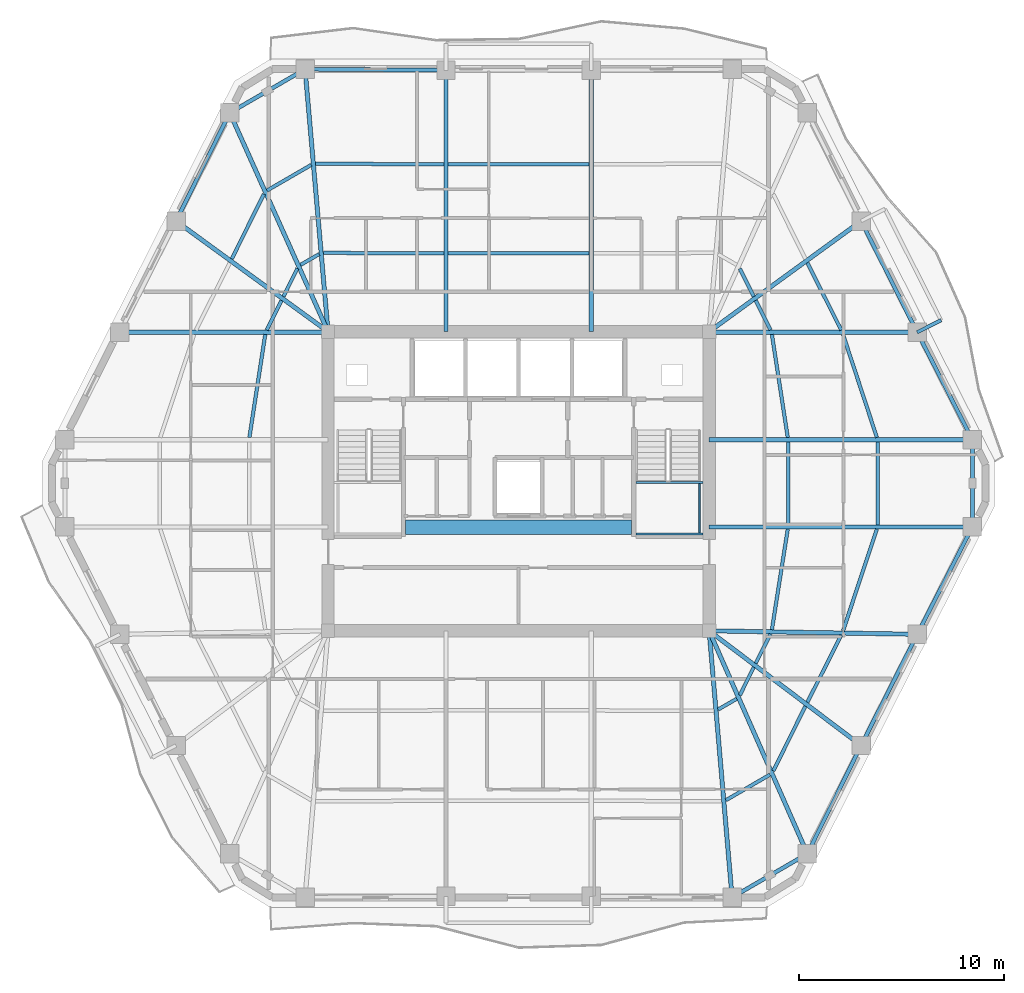
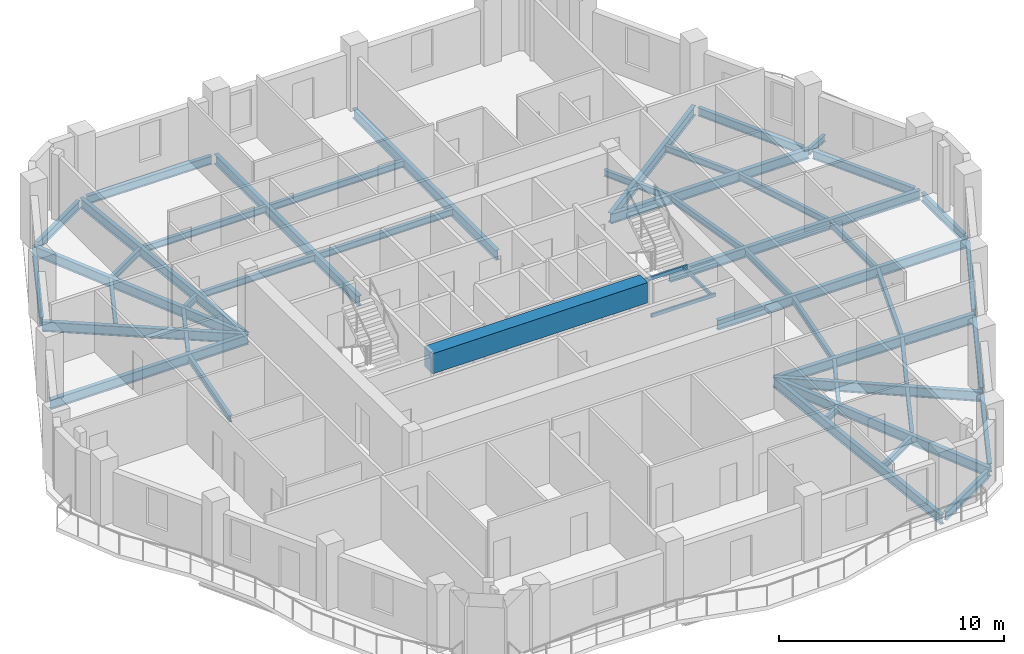
# One storey, part 2 of 11: 54 beams.
"""IFC4 building model written with IfcOpenShell, lengths in metres."""

from ifc_helpers import new_model, si_unit, direction, frame, origin, origin_2d, place, context, subcontext, project, spatial, rectangle, hollow_rectangle, i_section, extrude, material, material_profile, profile_set, type_object, element, save


model = new_model("IFC4")

# Units and contexts
model_context = context("Model", 3, precision=1e-05, world=origin(), true_north=direction((0.0, 1.0)))
body_context = subcontext(model_context, "Body", "Model", "MODEL_VIEW")
ifc_project = project(units=[si_unit("LENGTHUNIT", "METRE"), si_unit("AREAUNIT", "SQUARE_METRE"), si_unit("VOLUMEUNIT", "CUBIC_METRE"), si_unit("PLANEANGLEUNIT", "RADIAN"), si_unit("MASSUNIT", "GRAM", prefix="KILO")], contexts=[model_context])

# Site, building, storey
site_placement = place(None, origin())
site = spatial("IfcSite", under=ifc_project, at=site_placement, CompositionType="ELEMENT")
building_placement = place(site_placement, origin())
building = spatial("IfcBuilding", under=site, at=building_placement, Name="Cinnabar Lancet Tower", CompositionType="ELEMENT")
storey_placement = place(building_placement, frame((0.0, 0.0, 175.449951171875)))
storey = spatial("IfcBuildingStorey", under=building, at=storey_placement, Name="L46", CompositionType="ELEMENT", Elevation=175.449951171875)

# Beams
ifc_material_1 = material(Name="Concrete C70/85", Category="concrete")
ifc_material_profile_1 = material_profile(ifc_material_1, rectangle(XDim=0.699951171875, YDim=1.10009765625, at=origin_2d()), Name="RC-CB 700x1100")
ifc_profile_set_1 = profile_set([ifc_material_profile_1], Name="Concrete C70/85")
beam_type_1 = type_object("IfcBeamType", Name="STR-BM-CB-1100", PredefinedType="BEAM", material=ifc_profile_set_1)
beam_1_placement = place(storey_placement, frame((26.8798828125, 23.64990234375, 2.800048828125), z_axis=(1.0, 0.0, 0.0), x_axis=(0.0, 1.0, 0.0)))
element("IfcBeam", 1, at=beam_1_placement, inside=storey, type_object=beam_type_1, Name="L46 Core Coupling Beam", PredefinedType="BEAM", context=body_context, shape_type="SweptSolid", body=[
    extrude(rectangle(XDim=0.699951171875, YDim=1.10009765625, at=origin_2d()), origin(), (0.0, 0.0, 1.0), 11.0400390625),
])
ifc_material_2 = material(Name="Structural steel S355", Category="steel")
ifc_material_profile_2 = material_profile(ifc_material_2, i_section(OverallWidth=0.17138671875, OverallDepth=0.35498046875, WebThickness=0.00732421875, FlangeThickness=0.011474609375, FilletRadius=0.01025390625, at=origin_2d()), Name="UKB 356x171x51")
ifc_profile_set_2 = profile_set([ifc_material_profile_2], Name="Structural steel S355")
beam_type_2 = type_object("IfcBeamType", Name="STR-BM-JST-356", PredefinedType="JOIST", material=ifc_profile_set_2)
beam_2_placement = place(storey_placement, frame((42.51708984375, 10.3310546875, -0.3779296875), z_axis=(0.865267839663, 0.501309849937, 0.0), x_axis=(-0.501309849937, 0.865267839663, 0.0)))
element("IfcBeam", 2, at=beam_2_placement, inside=storey, type_object=beam_type_2, Name="L46 Secondary Floor Joist 15", PredefinedType="JOIST", context=body_context, shape_type="SweptSolid", body=[
    extrude(i_section(OverallWidth=0.17138671875, OverallDepth=0.35498046875, WebThickness=0.00732421875, FlangeThickness=0.011474609375, FilletRadius=0.01025390625, at=origin_2d()), origin(), (0.0, 0.0, 1.0), 2.497314453125),
])
beam_3_placement = place(storey_placement, frame((42.135986328125, 14.7548828125, -0.3779296875), z_axis=(0.8651881055, 0.501447446998, 0.0), x_axis=(-0.501447446998, 0.8651881055, 0.0)))
element("IfcBeam", 3, at=beam_3_placement, inside=storey, type_object=beam_type_2, Name="L46 Secondary Floor Joist 16", PredefinedType="JOIST", context=body_context, shape_type="SweptSolid", body=[
    extrude(i_section(OverallWidth=0.17138671875, OverallDepth=0.35498046875, WebThickness=0.00732421875, FlangeThickness=0.011474609375, FilletRadius=0.01025390625, at=origin_2d()), origin(), (0.0, 0.0, 1.0), 1.05322265625),
])
beam_4_placement = place(storey_placement, frame((44.8291015625, 11.758056640625, -0.3779296875), z_axis=(0.445027906173, 0.895516701534, 0.0), x_axis=(-0.895516701534, 0.445027906173, 0.0)))
element("IfcBeam", 4, at=beam_4_placement, inside=storey, type_object=beam_type_2, Name="L46 Secondary Floor Joist 17", PredefinedType="JOIST", context=body_context, shape_type="SweptSolid", body=[
    extrude(i_section(OverallWidth=0.17138671875, OverallDepth=0.35498046875, WebThickness=0.00732421875, FlangeThickness=0.011474609375, FilletRadius=0.01025390625, at=origin_2d()), origin(), (0.0, 0.0, 1.0), 3.531982421875),
])
beam_5_placement = place(storey_placement, frame((43.198974609375, 15.45703125, -0.3779296875), z_axis=(0.444589856968, 0.895734256954, 0.0), x_axis=(-0.895734256954, 0.444589856968, 0.0)))
element("IfcBeam", 5, at=beam_5_placement, inside=storey, type_object=beam_type_2, Name="L46 Secondary Floor Joist 18", PredefinedType="JOIST", context=body_context, shape_type="SweptSolid", body=[
    extrude(i_section(OverallWidth=0.17138671875, OverallDepth=0.35498046875, WebThickness=0.00732421875, FlangeThickness=0.011474609375, FilletRadius=0.01025390625, at=origin_2d()), origin(), (0.0, 0.0, 1.0), 1.527099609375),
])
beam_6_placement = place(storey_placement, frame((46.49609375, 15.112060546875, -0.3779296875), z_axis=(0.450564728728, 0.892743762357, 0.0), x_axis=(-0.892743762357, 0.450564728728, 0.0)))
element("IfcBeam", 6, at=beam_6_placement, inside=storey, type_object=beam_type_2, Name="L46 Secondary Floor Joist 19", PredefinedType="JOIST", context=body_context, shape_type="SweptSolid", body=[
    extrude(i_section(OverallWidth=0.17138671875, OverallDepth=0.35498046875, WebThickness=0.00732421875, FlangeThickness=0.011474609375, FilletRadius=0.01025390625, at=origin_2d()), origin(), (0.0, 0.0, 1.0), 3.66845703125),
])
beam_7_placement = place(storey_placement, frame((43.97412109375, 17.014892578125, -0.3779296875), z_axis=(0.450137936259, 0.892959035085, 0.0), x_axis=(-0.892959035085, 0.450137936259, 0.0)))
element("IfcBeam", 7, at=beam_7_placement, inside=storey, type_object=beam_type_2, Name="L46 Secondary Floor Joist 20", PredefinedType="JOIST", context=body_context, shape_type="SweptSolid", body=[
    extrude(i_section(OverallWidth=0.17138671875, OverallDepth=0.35498046875, WebThickness=0.00732421875, FlangeThickness=0.011474609375, FilletRadius=0.01025390625, at=origin_2d()), origin(), (0.0, 0.0, 1.0), 1.6015625),
])
beam_8_placement = place(storey_placement, frame((48.236083984375, 18.594970703125, -0.3779296875), z_axis=(0.315346227037, 0.948976689436, 0.0), x_axis=(-0.948976689436, 0.315346227037, 0.0)))
element("IfcBeam", 8, at=beam_8_placement, inside=storey, type_object=beam_type_2, Name="L46 Secondary Floor Joist 21", PredefinedType="JOIST", context=body_context, shape_type="SweptSolid", body=[
    extrude(i_section(OverallWidth=0.17138671875, OverallDepth=0.35498046875, WebThickness=0.00732421875, FlangeThickness=0.011474609375, FilletRadius=0.01025390625, at=origin_2d()), origin(), (0.0, 0.0, 1.0), 5.235107421875),
])
beam_9_placement = place(storey_placement, frame((44.763916015625, 18.653076171875, -0.3779296875), z_axis=(0.155750702097, 0.987796395416, 0.0), x_axis=(-0.987796395416, 0.155750702097, 0.0)))
element("IfcBeam", 9, at=beam_9_placement, inside=storey, type_object=beam_type_2, Name="L46 Secondary Floor Joist 22", PredefinedType="JOIST", context=body_context, shape_type="SweptSolid", body=[
    extrude(i_section(OverallWidth=0.17138671875, OverallDepth=0.35498046875, WebThickness=0.00732421875, FlangeThickness=0.011474609375, FilletRadius=0.01025390625, at=origin_2d()), origin(), (0.0, 0.0, 1.0), 4.970458984375),
])
for number, where, z_axis, x_axis, name in (
    (10, (49.922119140625, 23.77294921875, -0.3779296875), (0.0, 1.0, 0.0), (-1.0, 0.0, 0.0), "L46 Secondary Floor Joist 23"),
    (11, (45.553955078125, 23.77294921875, -0.3779296875), (0.0, 1.0, 0.0), (-1.0, 0.0, 0.0), "L46 Secondary Floor Joist 24"),
):
    element("IfcBeam", number, at=place(storey_placement, frame(where, z_axis=z_axis, x_axis=x_axis)), inside=storey, type_object=beam_type_2, Name=name, PredefinedType="JOIST", context=body_context, shape_type="SweptSolid", body=[
        extrude(i_section(OverallWidth=0.17138671875, OverallDepth=0.35498046875, WebThickness=0.00732421875, FlangeThickness=0.011474609375, FilletRadius=0.01025390625, at=origin_2d()), origin(), (0.0, 0.0, 1.0), 4.053955078125),
    ])
beam_10_placement = place(storey_placement, frame((49.887939453125, 28.037109375, -0.3779296875), z_axis=(-0.312240109925, 0.95000321776, 0.0), x_axis=(-0.95000321776, -0.312240109925, 0.0)))
element("IfcBeam", 12, at=beam_10_placement, inside=storey, type_object=beam_type_2, Name="L46 Secondary Floor Joist 25", PredefinedType="JOIST", context=body_context, shape_type="SweptSolid", body=[
    extrude(i_section(OverallWidth=0.17138671875, OverallDepth=0.35498046875, WebThickness=0.00732421875, FlangeThickness=0.011474609375, FilletRadius=0.01025390625, at=origin_2d()), origin(), (0.0, 0.0, 1.0), 5.29345703125),
])
beam_11_placement = place(storey_placement, frame((45.5380859375, 28.037109375, -0.3779296875), z_axis=(-0.152154536592, 0.98835671546, 0.0), x_axis=(-0.98835671546, -0.152154536592, 0.0)))
element("IfcBeam", 13, at=beam_11_placement, inside=storey, type_object=beam_type_2, Name="L46 Secondary Floor Joist 26", PredefinedType="JOIST", context=body_context, shape_type="SweptSolid", body=[
    extrude(i_section(OverallWidth=0.17138671875, OverallDepth=0.35498046875, WebThickness=0.00732421875, FlangeThickness=0.011474609375, FilletRadius=0.01025390625, at=origin_2d()), origin(), (0.0, 0.0, 1.0), 5.088134765625),
])
beam_12_placement = place(storey_placement, frame((48.14794921875, 33.27587890625, -0.3779296875), z_axis=(-0.449230875134, 0.893415704376, 0.0), x_axis=(-0.893415704376, -0.449230875134, 0.0)))
element("IfcBeam", 14, at=beam_12_placement, inside=storey, type_object=beam_type_2, Name="L46 Secondary Floor Joist 27", PredefinedType="JOIST", context=body_context, shape_type="SweptSolid", body=[
    extrude(i_section(OverallWidth=0.17138671875, OverallDepth=0.35498046875, WebThickness=0.00732421875, FlangeThickness=0.011474609375, FilletRadius=0.01025390625, at=origin_2d()), origin(), (0.0, 0.0, 1.0), 3.677001953125),
])
beam_13_placement = place(storey_placement, frame((44.695068359375, 33.27587890625, -0.3779296875), z_axis=(-0.446006949597, 0.89502949723, 0.0), x_axis=(-0.89502949723, -0.446006949597, 0.0)))
element("IfcBeam", 15, at=beam_13_placement, inside=storey, type_object=beam_type_2, Name="L46 Secondary Floor Joist 28", PredefinedType="JOIST", context=body_context, shape_type="SweptSolid", body=[
    extrude(i_section(OverallWidth=0.17138671875, OverallDepth=0.35498046875, WebThickness=0.00732421875, FlangeThickness=0.011474609375, FilletRadius=0.01025390625, at=origin_2d()), origin(), (0.0, 0.0, 1.0), 1.619140625),
])
beam_14_placement = place(storey_placement, frame((43.8779296875, 34.9150390625, -0.3779296875), z_axis=(-0.444589856968, 0.895734256954, 0.0), x_axis=(-0.895734256954, -0.444589856968, 0.0)))
element("IfcBeam", 16, at=beam_14_placement, inside=storey, type_object=beam_type_2, Name="L46 Secondary Floor Joist 30", PredefinedType="JOIST", context=body_context, shape_type="SweptSolid", body=[
    extrude(i_section(OverallWidth=0.17138671875, OverallDepth=0.35498046875, WebThickness=0.00732421875, FlangeThickness=0.011474609375, FilletRadius=0.01025390625, at=origin_2d()), origin(), (0.0, 0.0, 1.0), 1.527099609375),
])
for number, where, z_axis, x_axis, name in (
    (17, (35.837890625, 41.364990234375, -0.3779296875), (-1.0, 0.0, 0.0), (0.0, -1.0, 0.0), "L46 Secondary Floor Joist 35"),
    (18, (35.837890625, 37.027099609375, -0.3779296875), (-1.0, 0.0, 0.0), (0.0, -1.0, 0.0), "L46 Secondary Floor Joist 36"),
):
    element("IfcBeam", number, at=place(storey_placement, frame(where, z_axis=z_axis, x_axis=x_axis)), inside=storey, type_object=beam_type_2, Name=name, PredefinedType="JOIST", context=body_context, shape_type="SweptSolid", body=[
        extrude(i_section(OverallWidth=0.17138671875, OverallDepth=0.35498046875, WebThickness=0.00732421875, FlangeThickness=0.011474609375, FilletRadius=0.01025390625, at=origin_2d()), origin(), (0.0, 0.0, 1.0), 6.8759765625),
    ])
beam_15_placement = place(storey_placement, frame((28.751953125, 41.365966796875, -0.3779296875), z_axis=(-0.999986965561, 0.005105752523, 0.0), x_axis=(-0.005105752523, -0.999986965561, 0.0)))
element("IfcBeam", 19, at=beam_15_placement, inside=storey, type_object=beam_type_2, Name="L46 Secondary Floor Joist 37", PredefinedType="JOIST", context=body_context, shape_type="SweptSolid", body=[
    extrude(i_section(OverallWidth=0.17138671875, OverallDepth=0.35498046875, WebThickness=0.00732421875, FlangeThickness=0.011474609375, FilletRadius=0.01025390625, at=origin_2d()), origin(), (0.0, 0.0, 1.0), 6.263916015625),
])
beam_16_placement = place(storey_placement, frame((28.751953125, 37.028076171875, -0.3779296875), z_axis=(-0.999996795933, 0.002531427338, 0.0), x_axis=(-0.002531427338, -0.999996795933, 0.0)))
element("IfcBeam", 20, at=beam_16_placement, inside=storey, type_object=beam_type_2, Name="L46 Secondary Floor Joist 38", PredefinedType="JOIST", context=body_context, shape_type="SweptSolid", body=[
    extrude(i_section(OverallWidth=0.17138671875, OverallDepth=0.35498046875, WebThickness=0.00732421875, FlangeThickness=0.011474609375, FilletRadius=0.01025390625, at=origin_2d()), origin(), (0.0, 0.0, 1.0), 5.883056640625),
])
beam_17_placement = place(storey_placement, frame((22.282958984375, 41.341064453125, -0.3779296875), z_axis=(-0.865267839663, -0.501309849937, 0.0), x_axis=(0.501309849937, -0.865267839663, 0.0)))
element("IfcBeam", 21, at=beam_17_placement, inside=storey, type_object=beam_type_2, Name="L46 Secondary Floor Joist 39", PredefinedType="JOIST", context=body_context, shape_type="SweptSolid", body=[
    extrude(i_section(OverallWidth=0.17138671875, OverallDepth=0.35498046875, WebThickness=0.00732421875, FlangeThickness=0.011474609375, FilletRadius=0.01025390625, at=origin_2d()), origin(), (0.0, 0.0, 1.0), 2.497314453125),
])
beam_18_placement = place(storey_placement, frame((22.6640625, 36.985107421875, -0.3779296875), z_axis=(-0.8651881055, -0.501447446998, 0.0), x_axis=(0.501447446998, -0.8651881055, 0.0)))
element("IfcBeam", 22, at=beam_18_placement, inside=storey, type_object=beam_type_2, Name="L46 Secondary Floor Joist 40", PredefinedType="JOIST", context=body_context, shape_type="SweptSolid", body=[
    extrude(i_section(OverallWidth=0.17138671875, OverallDepth=0.35498046875, WebThickness=0.00732421875, FlangeThickness=0.011474609375, FilletRadius=0.01025390625, at=origin_2d()), origin(), (0.0, 0.0, 1.0), 1.05322265625),
])
beam_19_placement = place(storey_placement, frame((19.970947265625, 39.9150390625, -0.3779296875), z_axis=(-0.444835507887, -0.895612288283, 0.0), x_axis=(0.895612288283, -0.444835507887, 0.0)))
element("IfcBeam", 23, at=beam_19_placement, inside=storey, type_object=beam_type_2, Name="L46 Secondary Floor Joist 41", PredefinedType="JOIST", context=body_context, shape_type="SweptSolid", body=[
    extrude(i_section(OverallWidth=0.17138671875, OverallDepth=0.35498046875, WebThickness=0.00732421875, FlangeThickness=0.011474609375, FilletRadius=0.01025390625, at=origin_2d()), origin(), (0.0, 0.0, 1.0), 3.533935546875),
])
beam_20_placement = place(storey_placement, frame((21.60107421875, 36.282958984375, -0.3779296875), z_axis=(-0.444589856968, -0.895734256954, 0.0), x_axis=(0.895734256954, -0.444589856968, 0.0)))
element("IfcBeam", 24, at=beam_20_placement, inside=storey, type_object=beam_type_2, Name="L46 Secondary Floor Joist 42", PredefinedType="JOIST", context=body_context, shape_type="SweptSolid", body=[
    extrude(i_section(OverallWidth=0.17138671875, OverallDepth=0.35498046875, WebThickness=0.00732421875, FlangeThickness=0.011474609375, FilletRadius=0.01025390625, at=origin_2d()), origin(), (0.0, 0.0, 1.0), 1.527099609375),
])
beam_21_placement = place(storey_placement, frame((20.826904296875, 34.72509765625, -0.3779296875), z_axis=(-0.44588615098, -0.895089682861, 0.0), x_axis=(0.895089682861, -0.44588615098, 0.0)))
element("IfcBeam", 25, at=beam_21_placement, inside=storey, type_object=beam_type_2, Name="L46 Secondary Floor Joist 44", PredefinedType="JOIST", context=body_context, shape_type="SweptSolid", body=[
    extrude(i_section(OverallWidth=0.17138671875, OverallDepth=0.35498046875, WebThickness=0.00732421875, FlangeThickness=0.011474609375, FilletRadius=0.01025390625, at=origin_2d()), origin(), (0.0, 0.0, 1.0), 1.619140625),
])
beam_22_placement = place(storey_placement, frame((20.035888671875, 33.06591796875, -0.3779296875), z_axis=(-0.152107663797, -0.988363930248, 0.0), x_axis=(0.988363930248, -0.152107663797, 0.0)))
element("IfcBeam", 26, at=beam_22_placement, inside=storey, type_object=beam_type_2, Name="L46 Secondary Floor Joist 46", PredefinedType="JOIST", context=body_context, shape_type="SweptSolid", body=[
    extrude(i_section(OverallWidth=0.17138671875, OverallDepth=0.35498046875, WebThickness=0.00732421875, FlangeThickness=0.011474609375, FilletRadius=0.01025390625, at=origin_2d()), origin(), (0.0, 0.0, 1.0), 5.088134765625),
])
ifc_material_3 = material(Name="Structural steel S355", Category="steel")
ifc_material_profile_3 = material_profile(ifc_material_3, hollow_rectangle(XDim=0.10009765625, YDim=0.199951171875, WallThickness=0.008056640625, InnerFilletRadius=0.00390625, OuterFilletRadius=0.011962890625, at=origin_2d()), Name="RHS 200x100x8")
ifc_profile_set_3 = profile_set([ifc_material_profile_3], Name="Structural steel S355")
beam_type_3 = type_object("IfcBeamType", Name="STR-BM-LND-203", PredefinedType="BEAM", material=ifc_profile_set_3)
for number, where, z_axis, x_axis, name in (
    (27, (38.1201171875, 23.330078125, 1.47509765625), (1.0, 0.0, 0.0), (0.0, 1.0, 0.0), "L46 ST-2-L46 Landing Support Beam S"),
    (28, (38.1201171875, 25.844970703125, 1.47509765625), (1.0, 0.0, 0.0), (0.0, 1.0, 0.0), "L46 ST-2-L46 Landing Support Beam N"),
):
    element("IfcBeam", number, at=place(storey_placement, frame(where, z_axis=z_axis, x_axis=x_axis)), inside=storey, type_object=beam_type_3, Name=name, PredefinedType="BEAM", context=body_context, shape_type="SweptSolid", body=[
        extrude(hollow_rectangle(XDim=0.10009765625, YDim=0.199951171875, WallThickness=0.008056640625, InnerFilletRadius=0.00390625, OuterFilletRadius=0.011962890625, at=origin_2d()), origin(), (0.0, 0.0, 1.0), 3.27978515625),
    ])
beam_23_placement = place(storey_placement, frame((41.219970703125, 23.3798828125, 1.47509765625), z_axis=(0.0, 1.0, 0.0), x_axis=(-1.0, 0.0, 0.0)))
element("IfcBeam", 29, at=beam_23_placement, inside=storey, type_object=beam_type_3, Name="L46 ST-2-L46 Landing Side Trimmer Beam", PredefinedType="BEAM", context=body_context, shape_type="SweptSolid", body=[
    extrude(hollow_rectangle(XDim=0.10009765625, YDim=0.199951171875, WallThickness=0.008056640625, InnerFilletRadius=0.00390625, OuterFilletRadius=0.011962890625, at=origin_2d()), origin(), (0.0, 0.0, 1.0), 2.4150390625),
])
ifc_material_4 = material(Name="Structural steel S355", Category="steel")
ifc_material_profile_4 = material_profile(ifc_material_4, i_section(OverallWidth=0.1904296875, OverallDepth=0.45703125, WebThickness=0.009033203125, FlangeThickness=0.014404296875, FilletRadius=0.01025390625, at=origin_2d()), Name="UKB 457x191x74")
ifc_profile_set_4 = profile_set([ifc_material_profile_4], Name="Structural steel S355")
beam_type_4 = type_object("IfcBeamType", Name="STR-BM-SPN-457", PredefinedType="SPANDREL", material=ifc_profile_set_4)
beam_24_placement = place(storey_placement, frame((43.037109375, 5.714111328125, -0.427978515625), z_axis=(0.865195717586, 0.501434313016, 0.0), x_axis=(-0.501434313016, 0.865195717586, 0.0)))
element("IfcBeam", 30, at=beam_24_placement, inside=storey, type_object=beam_type_4, Name="L46 Perimeter Spandrel 4", PredefinedType="SPANDREL", context=body_context, shape_type="SweptSolid", body=[
    extrude(i_section(OverallWidth=0.1904296875, OverallDepth=0.45703125, WebThickness=0.009033203125, FlangeThickness=0.014404296875, FilletRadius=0.01025390625, at=origin_2d()), origin(), (0.0, 0.0, 1.0), 3.7470703125),
])
beam_25_placement = place(storey_placement, frame((46.60595703125, 7.94189453125, -0.427978515625), z_axis=(0.444914968367, 0.895572817208, 0.0), x_axis=(-0.895572817208, 0.444914968367, 0.0)))
element("IfcBeam", 31, at=beam_25_placement, inside=storey, type_object=beam_type_4, Name="L46 Perimeter Spandrel 5", PredefinedType="SPANDREL", context=body_context, shape_type="SweptSolid", body=[
    extrude(i_section(OverallWidth=0.1904296875, OverallDepth=0.45703125, WebThickness=0.009033203125, FlangeThickness=0.014404296875, FilletRadius=0.01025390625, at=origin_2d()), origin(), (0.0, 0.0, 1.0), 5.39892578125),
])
beam_26_placement = place(storey_placement, frame((49.23193359375, 13.22412109375, -0.427978515625), z_axis=(0.450395996562, 0.892828900899, 0.0), x_axis=(-0.892828900899, 0.450395996562, 0.0)))
element("IfcBeam", 32, at=beam_26_placement, inside=storey, type_object=beam_type_4, Name="L46 Perimeter Spandrel 6", PredefinedType="SPANDREL", context=body_context, shape_type="SweptSolid", body=[
    extrude(i_section(OverallWidth=0.1904296875, OverallDepth=0.45703125, WebThickness=0.009033203125, FlangeThickness=0.014404296875, FilletRadius=0.01025390625, at=origin_2d()), origin(), (0.0, 0.0, 1.0), 5.579833984375),
])
beam_27_placement = place(storey_placement, frame((51.971923828125, 18.65087890625, -0.427978515625), z_axis=(0.456628362232, 0.889657540184, 0.0), x_axis=(-0.889657540184, 0.456628362232, 0.0)))
element("IfcBeam", 33, at=beam_27_placement, inside=storey, type_object=beam_type_4, Name="L46 Perimeter Spandrel 7", PredefinedType="SPANDREL", context=body_context, shape_type="SweptSolid", body=[
    extrude(i_section(OverallWidth=0.1904296875, OverallDepth=0.45703125, WebThickness=0.009033203125, FlangeThickness=0.014404296875, FilletRadius=0.01025390625, at=origin_2d()), origin(), (0.0, 0.0, 1.0), 5.389892578125),
])
beam_28_placement = place(storey_placement, frame((54.547119140625, 23.91796875, -0.427978515625), z_axis=(0.0, 1.0, 0.0), x_axis=(-1.0, 0.0, 0.0)))
element("IfcBeam", 34, at=beam_28_placement, inside=storey, type_object=beam_type_4, Name="L46 Perimeter Spandrel 8", PredefinedType="SPANDREL", context=body_context, shape_type="SweptSolid", body=[
    extrude(i_section(OverallWidth=0.1904296875, OverallDepth=0.45703125, WebThickness=0.009033203125, FlangeThickness=0.014404296875, FilletRadius=0.01025390625, at=origin_2d()), origin(), (0.0, 0.0, 1.0), 3.763916015625),
])
beam_29_placement = place(storey_placement, frame((54.43310546875, 28.154052734375, -0.427978515625), z_axis=(-0.456646764028, 0.889648094981, 0.0), x_axis=(-0.889648094981, -0.456646764028, 0.0)))
element("IfcBeam", 35, at=beam_29_placement, inside=storey, type_object=beam_type_4, Name="L46 Perimeter Spandrel 9", PredefinedType="SPANDREL", context=body_context, shape_type="SweptSolid", body=[
    extrude(i_section(OverallWidth=0.1904296875, OverallDepth=0.45703125, WebThickness=0.009033203125, FlangeThickness=0.014404296875, FilletRadius=0.01025390625, at=origin_2d()), origin(), (0.0, 0.0, 1.0), 5.3896484375),
])
beam_30_placement = place(storey_placement, frame((51.7451171875, 33.39404296875, -0.427978515625), z_axis=(-0.450395996562, 0.892828900899, 0.0), x_axis=(-0.892828900899, -0.450395996562, 0.0)))
element("IfcBeam", 36, at=beam_30_placement, inside=storey, type_object=beam_type_4, Name="L46 Perimeter Spandrel 10", PredefinedType="SPANDREL", context=body_context, shape_type="SweptSolid", body=[
    extrude(i_section(OverallWidth=0.1904296875, OverallDepth=0.45703125, WebThickness=0.009033203125, FlangeThickness=0.014404296875, FilletRadius=0.01025390625, at=origin_2d()), origin(), (0.0, 0.0, 1.0), 5.579833984375),
])
beam_31_placement = place(storey_placement, frame((28.60693359375, 45.9599609375, -0.427978515625), z_axis=(-0.999970401924, 0.007693846685, 0.0), x_axis=(-0.007693846685, -0.999970401924, 0.0)))
element("IfcBeam", 37, at=beam_31_placement, inside=storey, type_object=beam_type_4, Name="L46 Perimeter Spandrel 15", PredefinedType="SPANDREL", context=body_context, shape_type="SweptSolid", body=[
    extrude(i_section(OverallWidth=0.1904296875, OverallDepth=0.45703125, WebThickness=0.009033203125, FlangeThickness=0.014404296875, FilletRadius=0.01025390625, at=origin_2d()), origin(), (0.0, 0.0, 1.0), 6.378173828125),
])
beam_32_placement = place(storey_placement, frame((21.762939453125, 45.885986328125, -0.427978515625), z_axis=(-0.865195717586, -0.501434313016, 0.0), x_axis=(0.501434313016, -0.865195717586, 0.0)))
element("IfcBeam", 38, at=beam_32_placement, inside=storey, type_object=beam_type_4, Name="L46 Perimeter Spandrel 16", PredefinedType="SPANDREL", context=body_context, shape_type="SweptSolid", body=[
    extrude(i_section(OverallWidth=0.1904296875, OverallDepth=0.45703125, WebThickness=0.009033203125, FlangeThickness=0.014404296875, FilletRadius=0.01025390625, at=origin_2d()), origin(), (0.0, 0.0, 1.0), 3.7470703125),
])
beam_33_placement = place(storey_placement, frame((18.194091796875, 43.657958984375, -0.427978515625), z_axis=(-0.444932986899, -0.895563865489, 0.0), x_axis=(0.895563865489, -0.444932986899, 0.0)))
element("IfcBeam", 39, at=beam_33_placement, inside=storey, type_object=beam_type_4, Name="L46 Perimeter Spandrel 17", PredefinedType="SPANDREL", context=body_context, shape_type="SweptSolid", body=[
    extrude(i_section(OverallWidth=0.1904296875, OverallDepth=0.45703125, WebThickness=0.009033203125, FlangeThickness=0.014404296875, FilletRadius=0.01025390625, at=origin_2d()), origin(), (0.0, 0.0, 1.0), 5.398681640625),
])
ifc_material_5 = material(Name="Structural steel S355", Category="steel")
ifc_material_profile_5 = material_profile(ifc_material_5, i_section(OverallWidth=0.209228515625, OverallDepth=0.533203125, WebThickness=0.010009765625, FlangeThickness=0.015625, FilletRadius=0.0126953125, at=origin_2d()), Name="UKB 533x210x92")
ifc_profile_set_5 = profile_set([ifc_material_profile_5], Name="Structural steel S355")
beam_type_5 = type_object("IfcBeamType", Name="STR-BM-UKB533-92", PredefinedType="BEAM", material=ifc_profile_set_5)
beam_34_placement = place(storey_placement, frame((49.118896484375, 13.0009765625, -0.467041015625), z_axis=(-0.798193439732, 0.602401222417, 0.0), x_axis=(-0.602401222417, -0.798193439732, 0.0)))
element("IfcBeam", 40, at=beam_34_placement, inside=storey, type_object=beam_type_5, Name="L46 Corner Collector Girder 2", PredefinedType="BEAM", context=body_context, shape_type="SweptSolid", body=[
    extrude(i_section(OverallWidth=0.209228515625, OverallDepth=0.533203125, WebThickness=0.010009765625, FlangeThickness=0.015625, FilletRadius=0.0126953125, at=origin_2d()), origin(), (0.0, 0.0, 1.0), 9.294677734375),
])
beam_35_placement = place(storey_placement, frame((49.118896484375, 38.59912109375, -0.467041015625), z_axis=(-0.808550797984, -0.588426382039, 0.0), x_axis=(0.588426382039, -0.808550797984, 0.0)))
element("IfcBeam", 41, at=beam_35_placement, inside=storey, type_object=beam_type_5, Name="L46 Corner Collector Girder 3", PredefinedType="BEAM", context=body_context, shape_type="SweptSolid", body=[
    extrude(i_section(OverallWidth=0.209228515625, OverallDepth=0.533203125, WebThickness=0.010009765625, FlangeThickness=0.015625, FilletRadius=0.0126953125, at=origin_2d()), origin(), (0.0, 0.0, 1.0), 9.175537109375),
])
beam_36_placement = place(storey_placement, frame((15.680908203125, 38.59912109375, -0.467041015625), z_axis=(0.80856001044, -0.588413723087, 0.0), x_axis=(0.588413723087, 0.80856001044, 0.0)))
element("IfcBeam", 42, at=beam_36_placement, inside=storey, type_object=beam_type_5, Name="L46 Corner Collector Girder 4", PredefinedType="BEAM", context=body_context, shape_type="SweptSolid", body=[
    extrude(i_section(OverallWidth=0.209228515625, OverallDepth=0.533203125, WebThickness=0.010009765625, FlangeThickness=0.015625, FilletRadius=0.0126953125, at=origin_2d()), origin(), (0.0, 0.0, 1.0), 9.17578125),
])
beam_37_placement = place(storey_placement, frame((42.821044921875, 5.589111328125, -0.467041015625), z_axis=(-0.085847068729, 0.996308326167, 0.0), x_axis=(-0.996308326167, -0.085847068729, 0.0)))
element("IfcBeam", 43, at=beam_37_placement, inside=storey, type_object=beam_type_5, Name="L46 Primary Floor Girder 4", PredefinedType="BEAM", context=body_context, shape_type="SweptSolid", body=[
    extrude(i_section(OverallWidth=0.209228515625, OverallDepth=0.533203125, WebThickness=0.010009765625, FlangeThickness=0.015625, FilletRadius=0.0126953125, at=origin_2d()), origin(), (0.0, 0.0, 1.0), 13.05908203125),
])
beam_38_placement = place(storey_placement, frame((46.4951171875, 7.718017578125, -0.467041015625), z_axis=(-0.403235299754, 0.915096329919, 0.0), x_axis=(-0.915096329919, -0.403235299754, 0.0)))
element("IfcBeam", 44, at=beam_38_placement, inside=storey, type_object=beam_type_5, Name="L46 Primary Floor Girder 5", PredefinedType="BEAM", context=body_context, shape_type="SweptSolid", body=[
    extrude(i_section(OverallWidth=0.209228515625, OverallDepth=0.533203125, WebThickness=0.010009765625, FlangeThickness=0.015625, FilletRadius=0.0126953125, at=origin_2d()), origin(), (0.0, 0.0, 1.0), 11.891845703125),
])
beam_39_placement = place(storey_placement, frame((51.85791015625, 18.428955078125, -0.467041015625), z_axis=(-0.999858100525, 0.016845735777, 0.0), x_axis=(-0.016845735777, -0.999858100525, 0.0)))
element("IfcBeam", 45, at=beam_39_placement, inside=storey, type_object=beam_type_5, Name="L46 Primary Floor Girder 7", PredefinedType="BEAM", context=body_context, shape_type="SweptSolid", body=[
    extrude(i_section(OverallWidth=0.209228515625, OverallDepth=0.533203125, WebThickness=0.010009765625, FlangeThickness=0.015625, FilletRadius=0.0126953125, at=origin_2d()), origin(), (0.0, 0.0, 1.0), 10.159423828125),
])
for number, where, z_axis, x_axis, name in (
    (46, (54.547119140625, 23.66796875, -0.467041015625), (-1.0, 0.0, 0.0), (0.0, -1.0, 0.0), "L46 Primary Floor Girder 8"),
    (47, (54.547119140625, 27.931884765625, -0.467041015625), (-1.0, 0.0, 0.0), (0.0, -1.0, 0.0), "L46 Primary Floor Girder 9"),
):
    element("IfcBeam", number, at=place(storey_placement, frame(where, z_axis=z_axis, x_axis=x_axis)), inside=storey, type_object=beam_type_5, Name=name, PredefinedType="BEAM", context=body_context, shape_type="SweptSolid", body=[
        extrude(i_section(OverallWidth=0.209228515625, OverallDepth=0.533203125, WebThickness=0.010009765625, FlangeThickness=0.015625, FilletRadius=0.0126953125, at=origin_2d()), origin(), (0.0, 0.0, 1.0), 12.84716796875),
    ])
beam_40_placement = place(storey_placement, frame((51.85791015625, 33.1708984375, -0.467041015625), z_axis=(-1.0, 0.0, 0.0), x_axis=(0.0, -1.0, 0.0)))
element("IfcBeam", 48, at=beam_40_placement, inside=storey, type_object=beam_type_5, Name="L46 Primary Floor Girder 10", PredefinedType="BEAM", context=body_context, shape_type="SweptSolid", body=[
    extrude(i_section(OverallWidth=0.209228515625, OverallDepth=0.533203125, WebThickness=0.010009765625, FlangeThickness=0.015625, FilletRadius=0.0126953125, at=origin_2d()), origin(), (0.0, 0.0, 1.0), 10.157958984375),
])
for number, where, z_axis, x_axis, name in (
    (49, (35.943115234375, 45.9580078125, -0.467041015625), (0.0, -1.0, 0.0), (1.0, 0.0, 0.0), "L46 Primary Floor Girder 14"),
    (50, (28.85693359375, 45.9580078125, -0.467041015625), (0.0, -1.0, 0.0), (1.0, 0.0, 0.0), "L46 Primary Floor Girder 15"),
):
    element("IfcBeam", number, at=place(storey_placement, frame(where, z_axis=z_axis, x_axis=x_axis)), inside=storey, type_object=beam_type_5, Name=name, PredefinedType="BEAM", context=body_context, shape_type="SweptSolid", body=[
        extrude(i_section(OverallWidth=0.209228515625, OverallDepth=0.533203125, WebThickness=0.010009765625, FlangeThickness=0.015625, FilletRadius=0.0126953125, at=origin_2d()), origin(), (0.0, 0.0, 1.0), 12.758056640625),
    ])
beam_41_placement = place(storey_placement, frame((21.97900390625, 46.010986328125, -0.467041015625), z_axis=(0.087176841412, -0.996192851973, 0.0), x_axis=(0.996192851973, 0.087176841412, 0.0)))
element("IfcBeam", 51, at=beam_41_placement, inside=storey, type_object=beam_type_5, Name="L46 Primary Floor Girder 16", PredefinedType="BEAM", context=body_context, shape_type="SweptSolid", body=[
    extrude(i_section(OverallWidth=0.209228515625, OverallDepth=0.533203125, WebThickness=0.010009765625, FlangeThickness=0.015625, FilletRadius=0.0126953125, at=origin_2d()), origin(), (0.0, 0.0, 1.0), 12.860107421875),
])
beam_42_placement = place(storey_placement, frame((18.304931640625, 43.882080078125, -0.467041015625), z_axis=(0.409527011626, -0.912297992297, 0.0), x_axis=(0.912297992297, 0.409527011626, 0.0)))
element("IfcBeam", 52, at=beam_42_placement, inside=storey, type_object=beam_type_5, Name="L46 Primary Floor Girder 17", PredefinedType="BEAM", context=body_context, shape_type="SweptSolid", body=[
    extrude(i_section(OverallWidth=0.209228515625, OverallDepth=0.533203125, WebThickness=0.010009765625, FlangeThickness=0.015625, FilletRadius=0.0126953125, at=origin_2d()), origin(), (0.0, 0.0, 1.0), 11.708984375),
])
beam_43_placement = place(storey_placement, frame((12.94189453125, 33.1708984375, -0.467041015625), z_axis=(1.0, 0.0, 0.0), x_axis=(0.0, 1.0, 0.0)))
element("IfcBeam", 53, at=beam_43_placement, inside=storey, type_object=beam_type_5, Name="L46 Primary Floor Girder 19", PredefinedType="BEAM", context=body_context, shape_type="SweptSolid", body=[
    extrude(i_section(OverallWidth=0.209228515625, OverallDepth=0.533203125, WebThickness=0.010009765625, FlangeThickness=0.015625, FilletRadius=0.0126953125, at=origin_2d()), origin(), (0.0, 0.0, 1.0), 10.158203125),
])
ifc_material_6 = material(Name="Structural steel S355", Category="steel")
ifc_material_profile_6 = material_profile(ifc_material_6, i_section(OverallWidth=0.17138671875, OverallDepth=0.35498046875, WebThickness=0.00732421875, FlangeThickness=0.011474609375, FilletRadius=0.01025390625, at=origin_2d()), Name="UKB 356x171x51")
ifc_profile_set_6 = profile_set([ifc_material_profile_6], Name="Structural steel S355")
beam_type_6 = type_object("IfcBeamType", Name="STR-BM-WAV-OUT", PredefinedType="BEAM", material=ifc_profile_set_6)
beam_44_placement = place(storey_placement, frame((51.85791015625, 33.1708984375, -0.39794921875), z_axis=(0.892238560088, 0.451564338597, 0.0), x_axis=(-0.451564338597, 0.892238560088, 0.0)))
element("IfcBeam", 54, at=beam_44_placement, inside=storey, type_object=beam_type_6, Name="L46 Face 3 Balcony Outlooker A", PredefinedType="BEAM", context=body_context, shape_type="SweptSolid", body=[
    extrude(i_section(OverallWidth=0.17138671875, OverallDepth=0.35498046875, WebThickness=0.00732421875, FlangeThickness=0.011474609375, FilletRadius=0.01025390625, at=origin_2d()), origin(), (0.0, 0.0, 1.0), 1.30029296875),
])

save(model, "model.ifc")
